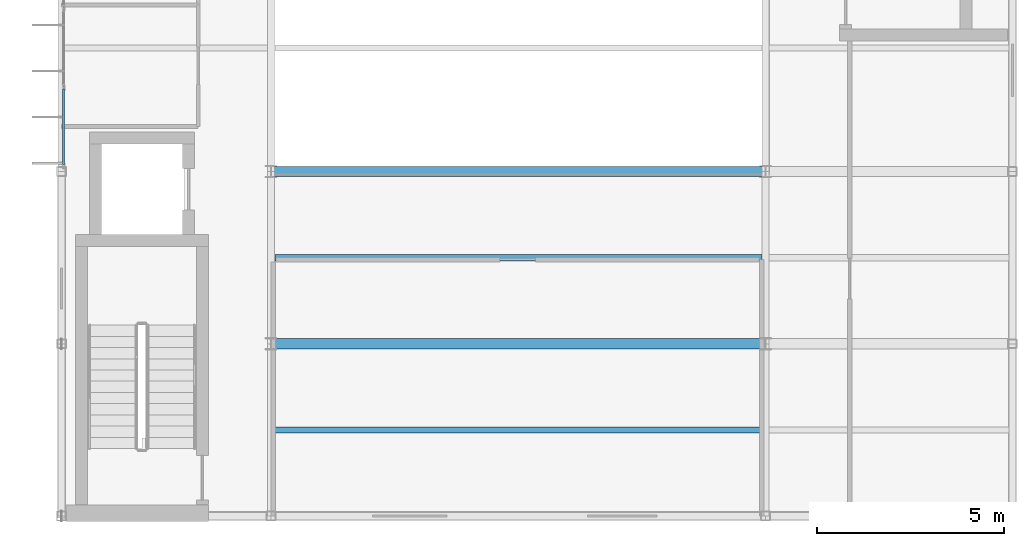
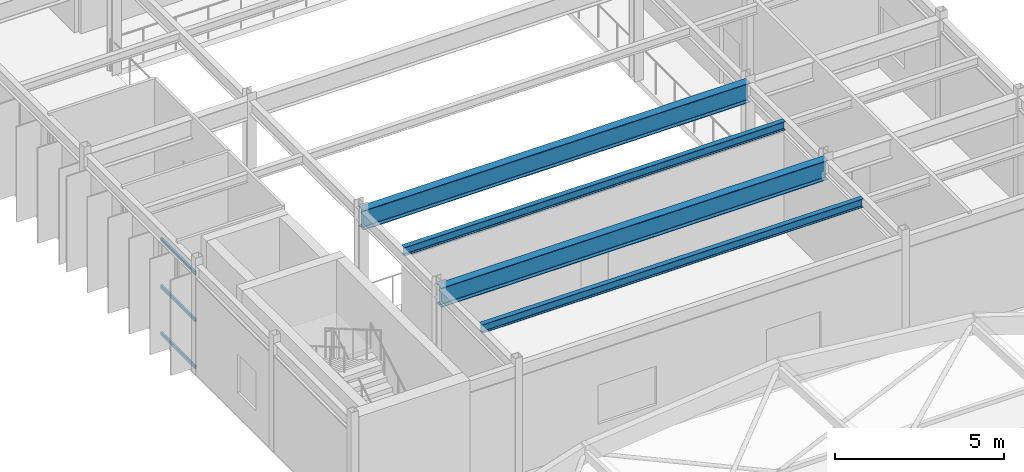
# One storey, part 41 of 157: 4 beams, 3 members, 1 element without a shape of its own.
"""IFC4 building model written with IfcOpenShell, lengths in metres."""

from ifc_helpers import new_model, si_unit, direction, frame, origin, origin_2d, place, context, subcontext, project, spatial, hollow_rectangle, i_section, extrude, material, material_profile, profile_set, type_object, element, aggregate, save


model = new_model("IFC4")

# Units and contexts
model_context = context("Model", 3, precision=1e-05, world=origin(), true_north=direction((0.0, 1.0)))
body_context = subcontext(model_context, "Body", "Model", "MODEL_VIEW")
ifc_project = project(units=[si_unit("LENGTHUNIT", "METRE"), si_unit("AREAUNIT", "SQUARE_METRE"), si_unit("VOLUMEUNIT", "CUBIC_METRE"), si_unit("PLANEANGLEUNIT", "RADIAN"), si_unit("MASSUNIT", "GRAM", prefix="KILO")], contexts=[model_context])

# Site, building, storey
site_placement = place(None, origin())
site = spatial("IfcSite", under=ifc_project, at=site_placement, CompositionType="ELEMENT")
building_placement = place(site_placement, origin())
building = spatial("IfcBuilding", under=site, at=building_placement, Name="Karori Crest Natural Sciences Institute", CompositionType="ELEMENT")
storey_placement = place(building_placement, frame((0.0, 0.0, 13.300048828125)))
storey = spatial("IfcBuildingStorey", under=building, at=storey_placement, Name="L03", CompositionType="ELEMENT", Elevation=13.300048828125)

# Beams
ifc_material_1 = material(Name="Structural steel AS/NZS 3679.1 Grade 350", Category="steel")
ifc_material_profile_1 = material_profile(ifc_material_1, i_section(OverallWidth=0.27490234375, OverallDepth=0.699951171875, WebThickness=0.010009765625, FlangeThickness=0.02001953125, FilletRadius=0.013916015625, at=origin_2d()), Name="700WB150")
ifc_profile_set_1 = profile_set([ifc_material_profile_1], Name="Structural steel AS/NZS 3679.1 Grade 350")
beam_type_1 = type_object("IfcBeamType", Name="BT-03", PredefinedType="BEAM", material=ifc_profile_set_1)
for number, where, z_axis, x_axis, name in (
    (1, (7.39990234375, 35.800048828125, 3.570068359375), (1.0, 0.0, 0.0), (0.0, 1.0, 0.0), "Beam B-1143"),
    (2, (7.39990234375, 40.39990234375, 3.570068359375), (1.0, 0.0, 0.0), (0.0, 1.0, 0.0), "Beam B-1145"),
):
    element("IfcBeam", number, at=place(storey_placement, frame(where, z_axis=z_axis, x_axis=x_axis)), inside=storey, type_object=beam_type_1, Name=name, PredefinedType="BEAM", context=body_context, shape_type="SweptSolid", body=[
        extrude(i_section(OverallWidth=0.27490234375, OverallDepth=0.699951171875, WebThickness=0.010009765625, FlangeThickness=0.02001953125, FilletRadius=0.013916015625, at=origin_2d()), origin(), (0.0, 0.0, 1.0), 13.2001953125),
    ])
ifc_material_profile_2 = material_profile(ifc_material_1, i_section(OverallWidth=0.166015625, OverallDepth=0.306884765625, WebThickness=0.006591796875, FlangeThickness=0.01171875, FilletRadius=0.010986328125, at=origin_2d()), Name="310UB46.2")
ifc_profile_set_2 = profile_set([ifc_material_profile_2], Name="Structural steel AS/NZS 3679.1 Grade 350")
beam_type_2 = type_object("IfcBeamType", Name="BT-09", PredefinedType="BEAM", material=ifc_profile_set_2)
for number, where, z_axis, x_axis, name in (
    (3, (7.49560546875, 33.5, 3.766357421875), (1.0, 0.0, 0.0), (0.0, 1.0, 0.0), "Beam B-1194"),
    (4, (7.49560546875, 38.10009765625, 3.766357421875), (1.0, 0.0, 0.0), (0.0, 1.0, 0.0), "Beam B-1195"),
):
    element("IfcBeam", number, at=place(storey_placement, frame(where, z_axis=z_axis, x_axis=x_axis)), inside=storey, type_object=beam_type_2, Name=name, PredefinedType="BEAM", context=body_context, shape_type="SweptSolid", body=[
        extrude(i_section(OverallWidth=0.166015625, OverallDepth=0.306884765625, WebThickness=0.006591796875, FlangeThickness=0.01171875, FilletRadius=0.010986328125, at=origin_2d()), origin(), (0.0, 0.0, 1.0), 13.0087890625),
    ])

# Curtain wall, members
ifc_material_2 = material(Name="Anodised architectural aluminium 6063-T6", Category="aluminium")
curtain_wall_type = type_object("IfcCurtainWallType", Name="CWT-17", PredefinedType="NOTDEFINED", material=ifc_material_2)
curtain_wall_placement = place(storey_placement, origin())
curtain_wall = element("IfcCurtainWall", 5, at=curtain_wall_placement, inside=storey, type_object=curtain_wall_type, Name="Curtain wall CW-0278", PredefinedType="NOTDEFINED")
ifc_material_profile_3 = material_profile(ifc_material_2, hollow_rectangle(XDim=0.06005859375, YDim=0.1201171875, WallThickness=0.00390625, at=origin_2d()), Name="CWT120x60x4")
ifc_profile_set_3 = profile_set([ifc_material_profile_3], Name="Anodised architectural aluminium 6063-T6")
member_type = type_object("IfcMemberType", Name="CWT-TR1", PredefinedType="USERDEFINED", material=ifc_profile_set_3)
member_1_placement = place(storey_placement, frame((1.860107421875, 40.587890625, 0.030029296875), z_axis=(0.0, 1.0, 0.0), x_axis=(-1.0, 0.0, 0.0)))
member_1 = element("IfcMember", 6, at=member_1_placement, type_object=member_type, Name="CW-0278 transom 1.1", ObjectType="TRANSOM", PredefinedType="USERDEFINED", context=body_context, shape_type="SweptSolid", body=[
    extrude(hollow_rectangle(XDim=0.06005859375, YDim=0.1201171875, WallThickness=0.00390625, at=origin_2d()), origin(), (0.0, 0.0, 1.0), 2.0205078125),
])
member_2_placement = place(storey_placement, frame((1.860107421875, 40.587890625, 1.722412109375), z_axis=(0.0, 1.0, 0.0), x_axis=(-1.0, 0.0, 0.0)))
member_2 = element("IfcMember", 7, at=member_2_placement, type_object=member_type, Name="CW-0278 transom 1.2", ObjectType="TRANSOM", PredefinedType="USERDEFINED", context=body_context, shape_type="SweptSolid", body=[
    extrude(hollow_rectangle(XDim=0.06005859375, YDim=0.1201171875, WallThickness=0.00390625, at=origin_2d()), origin(), (0.0, 0.0, 1.0), 2.0205078125),
])
member_3_placement = place(storey_placement, frame((1.860107421875, 40.587890625, 3.4150390625), z_axis=(0.0, 1.0, 0.0), x_axis=(-1.0, 0.0, 0.0)))
member_3 = element("IfcMember", 8, at=member_3_placement, type_object=member_type, Name="CW-0278 transom 1.3", ObjectType="TRANSOM", PredefinedType="USERDEFINED", context=body_context, shape_type="SweptSolid", body=[
    extrude(hollow_rectangle(XDim=0.06005859375, YDim=0.1201171875, WallThickness=0.00390625, at=origin_2d()), origin(), (0.0, 0.0, 1.0), 2.0205078125),
])
aggregate(curtain_wall, [member_1, member_2, member_3])

save(model, "model.ifc")
